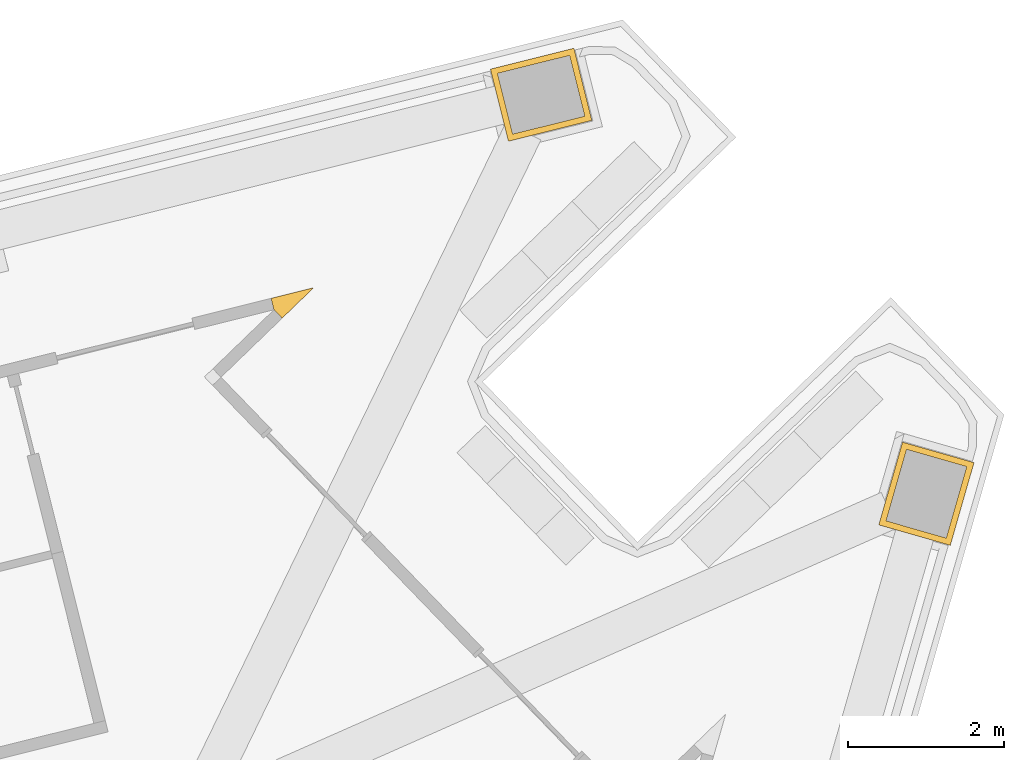
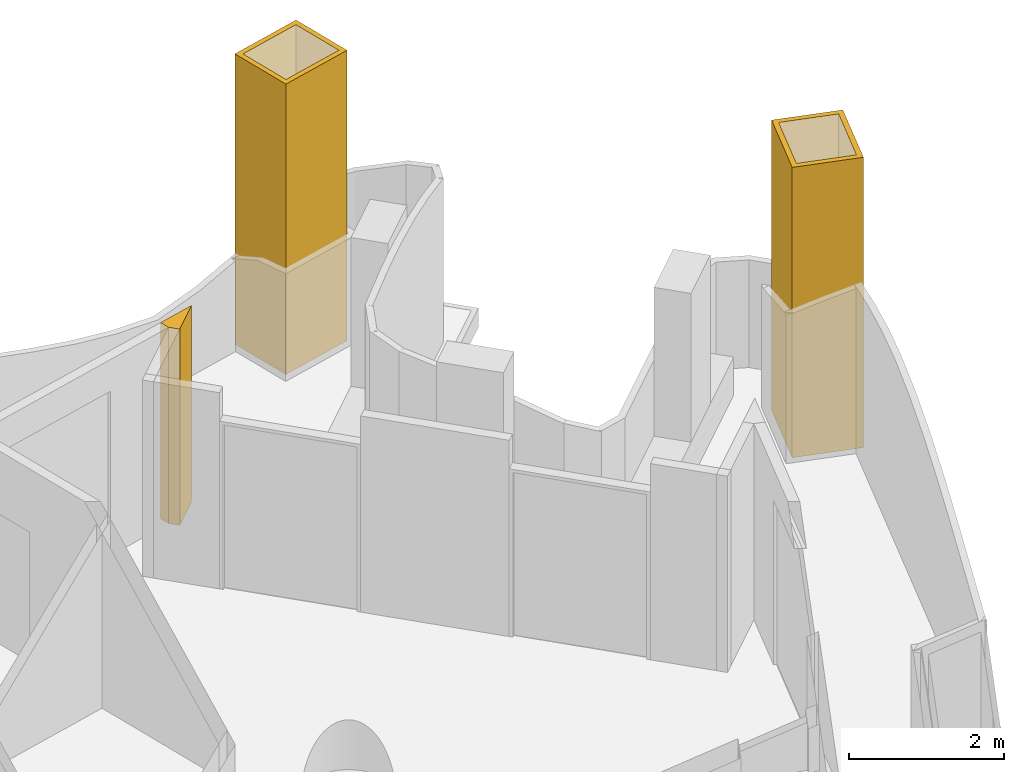
# One storey, part 19 of 20: 3 coverings.
"""IFC4 building model written with IfcOpenShell, lengths in metres."""

from ifc_helpers import new_model, si_unit, direction, frame, origin, place, context, subcontext, project, spatial, polyline, outline, extrude, material, layer, layer_set, type_object, element, save


model = new_model("IFC4")

# Units and contexts
model_context = context("Model", 3, precision=1e-05, world=origin(), true_north=direction((0.0, 1.0)))
body_context = subcontext(model_context, "Body", "Model", "MODEL_VIEW")
ifc_project = project(units=[si_unit("LENGTHUNIT", "METRE"), si_unit("AREAUNIT", "SQUARE_METRE"), si_unit("VOLUMEUNIT", "CUBIC_METRE"), si_unit("PLANEANGLEUNIT", "RADIAN"), si_unit("MASSUNIT", "GRAM", prefix="KILO")], contexts=[model_context])

# Site, building, storey
site_placement = place(None, origin())
site = spatial("IfcSite", under=ifc_project, at=site_placement, CompositionType="ELEMENT")
building_placement = place(site_placement, origin())
building = spatial("IfcBuilding", under=site, at=building_placement, Name="Trine Commons Tower", CompositionType="ELEMENT")
storey_placement = place(building_placement, frame((0.0, 0.0, 116.10009765625)))
storey = spatial("IfcBuildingStorey", under=building, at=storey_placement, Name="L29", CompositionType="ELEMENT", Elevation=116.10009765625)

# Coverings
ifc_material_1 = material(Name="Aluminium-framed insulated wall panel", Category="aluminium")
ifc_layer_1 = layer(ifc_material_1, 0.14990234375)
ifc_layer_set_1 = layer_set([ifc_layer_1], Name="Aluminium-framed insulated wall panel")
covering_type_1 = type_object("IfcCoveringType", Name="Glazing corner post, aluminium", PredefinedType="CLADDING", material=ifc_layer_set_1)
covering_1_placement = place(storey_placement, origin())
element("IfcCovering", 1, at=covering_1_placement, inside=storey, type_object=covering_type_1, Name="Glazing corner post 3-05", PredefinedType="CLADDING", context=body_context, shape_type="SweptSolid", body=[
    extrude(outline(polyline([(98.252197265625, 85.394775390625), (98.65478515625, 85.78369140625), (98.11181640625, 85.648193359375), (98.14794921875, 85.502685546875), (98.252197265625, 85.394775390625)])), origin(), (0.0, 0.0, 1.0), 3.099853515625),
])
ifc_material_2 = material(Name="Limestone, honed", Category="masonry")
ifc_layer_2 = layer(ifc_material_2, 0.074951171875)
ifc_layer_set_2 = layer_set([ifc_layer_2], Name="Limestone, honed")
covering_type_2 = type_object("IfcCoveringType", Name="Limestone column cladding 75", PredefinedType="CLADDING", material=ifc_layer_set_2)
covering_2_placement = place(storey_placement, origin())
element("IfcCovering", 2, at=covering_2_placement, inside=storey, type_object=covering_type_2, Name="Limestone pier cladding 3-16", PredefinedType="CLADDING", context=body_context, shape_type="SweptSolid", body=[
    extrude(outline(polyline([(102.211181640625, 87.922607421875), (101.9814453125, 88.84423828125), (100.9140625, 88.578125), (101.14404296875, 87.656494140625), (102.211181640625, 87.922607421875)]), holes=[polyline([(102.120361328125, 87.97705078125), (101.9267578125, 88.75341796875), (101.0048828125, 88.5234375), (101.198486328125, 87.747314453125), (102.120361328125, 87.97705078125)])]), origin(), (0.0, 0.0, 1.0), 4.58740234375),
])
covering_3_placement = place(storey_placement, origin())
element("IfcCovering", 3, at=covering_3_placement, inside=storey, type_object=covering_type_2, Name="Limestone pier cladding 3-17", PredefinedType="CLADDING", context=body_context, shape_type="SweptSolid", body=[
    extrude(outline(polyline([(107.095458984375, 83.548583984375), (106.18212890625, 83.810546875), (105.87890625, 82.753173828125), (106.792236328125, 82.4912109375), (107.095458984375, 83.548583984375)]), holes=[polyline([(107.002685546875, 83.497314453125), (106.233642578125, 83.7177734375), (105.9716796875, 82.8046875), (106.74072265625, 82.583984375), (107.002685546875, 83.497314453125)])]), origin(), (0.0, 0.0, 1.0), 4.58740234375),
])

save(model, "model.ifc")
